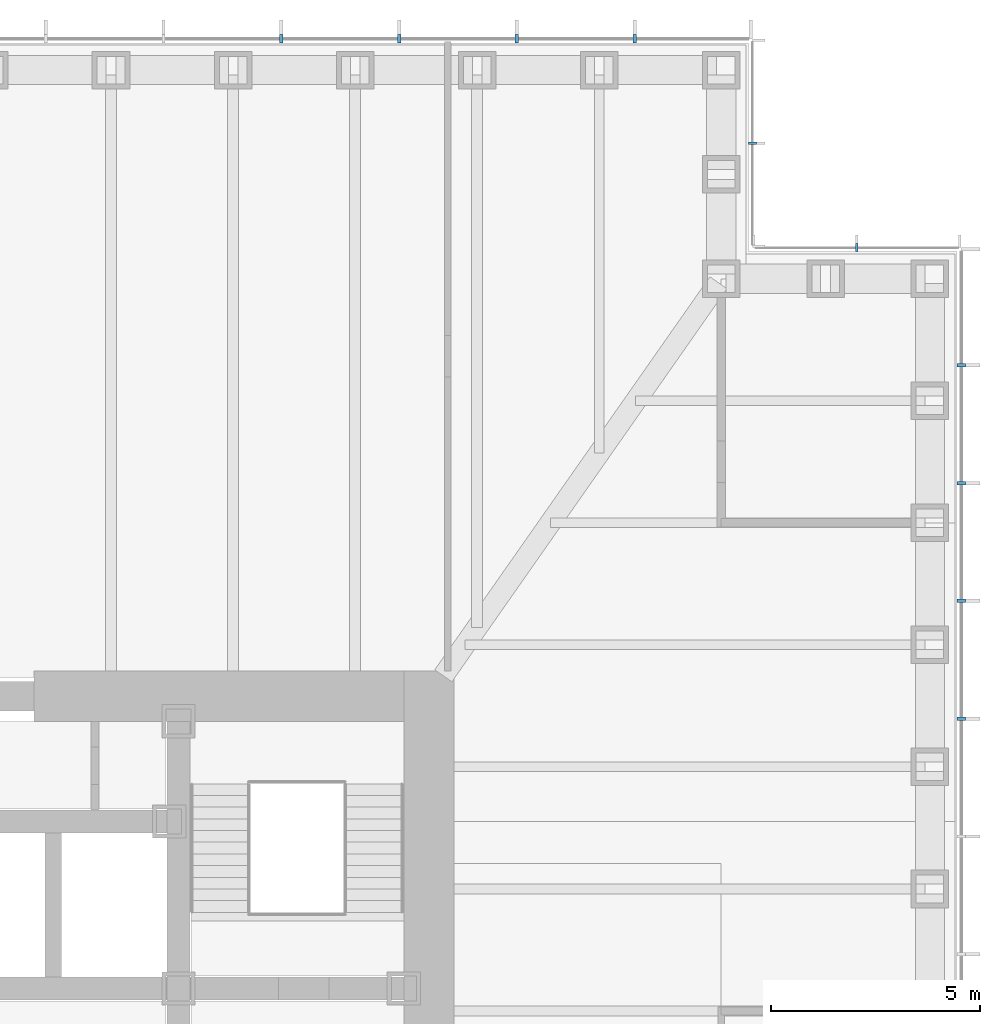
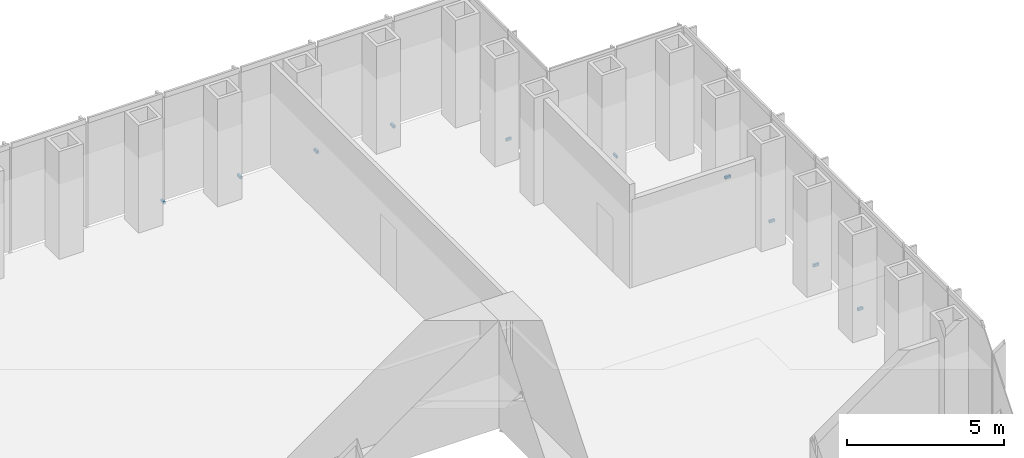
# One storey, part 15 of 16: 10 discrete accessories.
"""IFC4 building model written with IfcOpenShell, lengths in metres."""

import ifcopenshell
import ifcopenshell.guid

model = None  # the IFC model being written
_history = None  # IfcOwnerHistory: only IFC2X3 demands one
_inside = {}  # id of a spatial element -> (the spatial element, [elements in it])
_under = {}  # id of a project, library or spatial element -> (it, [spatial elements below it])
_declared = {}  # id of a project -> (the project, [libraries it declares])
_typed = {}  # id of a type object -> (the type object, [elements of that type])
_made_of = {}  # id of a material, layer set ... -> (it, [elements and type objects made of it])


def new_model(schema):
    """Start an empty IFC model of exactly this schema.

    Asked for "IFC4X3", IfcOpenShell would pick the latest addendum, in which some entities
    have other attributes; the version numbers below select the first issue.
    IFC2X3 requires an IfcOwnerHistory on every rooted entity: one is made here for all.
    """
    global model, _history
    if schema == "IFC4X3":
        model = ifcopenshell.file(schema_version=(4, 3, 0, 0))
    else:
        model = ifcopenshell.file(schema=schema)
    _inside.clear()
    _under.clear()
    _declared.clear()
    _typed.clear()
    _made_of.clear()
    _history = None
    if model.schema == "IFC2X3":
        org = make("IfcOrganization", Name="unknown")
        user = make(
            "IfcPersonAndOrganization",
            ThePerson=make("IfcPerson", FamilyName="unknown"),
            TheOrganization=org,
        )
        app = make(
            "IfcApplication",
            ApplicationDeveloper=org,
            Version="unknown",
            ApplicationFullName="unknown",
            ApplicationIdentifier="unknown",
        )
        _history = make(
            "IfcOwnerHistory",
            OwningUser=user,
            OwningApplication=app,
            ChangeAction="ADDED",
            CreationDate=0,
        )
    return model


def make(cls, **values):
    """One entity of the class cls with the attributes given. An attribute that is None is left unset."""
    return model.create_entity(
        cls, **{name: value for name, value in values.items() if value is not None}
    )


def rooted(cls, **values):
    """An entity with a GlobalId (a new one), such as an element, a storey or a relation."""
    return make(cls, GlobalId=ifcopenshell.guid.new(), OwnerHistory=_history, **values)


def si_unit(unit_type, name, prefix=None):
    """IfcSIUnit, for example si_unit("LENGTHUNIT", "METRE", prefix="MILLI")."""
    return make("IfcSIUnit", UnitType=unit_type, Prefix=prefix, Name=name)


def assignment(units):
    """IfcUnitAssignment: the units of a project."""
    return None if units is None else make("IfcUnitAssignment", Units=units)


def point(xyz):
    """IfcCartesianPoint."""
    return None if xyz is None else make("IfcCartesianPoint", Coordinates=xyz)


def direction(xyz):
    """IfcDirection."""
    return None if xyz is None else make("IfcDirection", DirectionRatios=xyz)


def frame(location, z_axis=None, x_axis=None):
    """IfcAxis2Placement3D, a coordinate frame: its origin and axes. An axis left out is left unset."""
    return make(
        "IfcAxis2Placement3D",
        Location=point(location),
        Axis=direction(z_axis),
        RefDirection=direction(x_axis),
    )


def frame_2d(location, x_axis=None):
    """IfcAxis2Placement2D, a coordinate frame in the plane: its origin and x axis."""
    return make(
        "IfcAxis2Placement2D", Location=point(location), RefDirection=direction(x_axis)
    )


def origin():
    """The frame at (0, 0, 0) with its axes left unset."""
    return frame((0.0, 0.0, 0.0))


def origin_2d():
    """The frame at (0, 0) in the plane with its x axis left unset."""
    return frame_2d((0.0, 0.0))


def place(relative_to, where):
    """IfcLocalPlacement: puts the frame where relative to a parent placement (None: the world)."""
    return make(
        "IfcLocalPlacement", PlacementRelTo=relative_to, RelativePlacement=where
    )


def context(
    kind, dimensions, precision=None, world=None, true_north=None, identifier=None
):
    """IfcGeometricRepresentationContext, for example the 3D "Model" context."""
    return make(
        "IfcGeometricRepresentationContext",
        ContextIdentifier=identifier,
        ContextType=kind,
        CoordinateSpaceDimension=dimensions,
        Precision=precision,
        WorldCoordinateSystem=world,
        TrueNorth=true_north,
    )


def subcontext(parent, identifier, kind, view, scale=None):
    """IfcGeometricRepresentationSubContext, for example "Body" below "Model"."""
    return make(
        "IfcGeometricRepresentationSubContext",
        ContextIdentifier=identifier,
        ContextType=kind,
        ParentContext=parent,
        TargetScale=scale,
        TargetView=view,
    )


def project(units=None, contexts=None):
    """IfcProject with its units and contexts."""
    return rooted(
        "IfcProject",
        Name="project",
        RepresentationContexts=contexts,
        UnitsInContext=assignment(units),
    )


def spatial(cls, under=None, at=None, **own):
    """A site, building, storey or space (cls), placed at a placement, below another one or the project."""
    s = rooted(cls, ObjectPlacement=at, **own)
    if under is not None:
        _under.setdefault(under.id(), (under, []))[1].append(s)
    return s


def profile(cls, at=None, kind="AREA", **sizes):
    """A parametric profile (cls). Its sizes go by their IFC names, for example OverallWidth=200.0."""
    return make(cls, ProfileType=kind, Position=at, **sizes)


def rectangle(**sizes):
    """IfcRectangleProfileDef."""
    return profile("IfcRectangleProfileDef", **sizes)


def extrude(swept, where, along, depth):
    """IfcExtrudedAreaSolid: the profile swept, set in the frame where, extruded along a direction by depth."""
    return make(
        "IfcExtrudedAreaSolid",
        SweptArea=swept,
        Position=where,
        ExtrudedDirection=direction(along),
        Depth=depth,
    )


def shape(context_of_items, identifier, shape_type, items):
    """IfcShapeRepresentation: the items that make up one representation, for example the "Body"."""
    return make(
        "IfcShapeRepresentation",
        ContextOfItems=context_of_items,
        RepresentationIdentifier=identifier,
        RepresentationType=shape_type,
        Items=items,
    )


def made_of(thing, what):
    """Note that an element or type object is made of a material, layer set ...; save() writes the relation."""
    if what is not None:
        _made_of.setdefault(what.id(), (what, []))[1].append(thing)
    return thing


def element(
    cls,
    number,
    at=None,
    inside=None,
    cuts=None,
    type_object=None,
    material=None,
    context=None,
    identifier="Body",
    shape_type=None,
    held_by="IfcProductDefinitionShape",
    body=None,
    shapes=None,
    **own,
):
    """One element of the class cls, such as IfcWall. Its Tag is "e" and its number.

    at: its placement. inside: the storey or other place that contains it. cuts: it is an
    opening in that element (IfcRelVoidsElement). A single representation is given by context,
    identifier, shape_type and body (its items); several are given by shapes. held_by: the class
    of the entity that holds the representations. save() writes the other relations.
    """
    e = rooted(cls, Tag="e%d" % number, ObjectPlacement=at, **own)
    if body is not None:
        shapes = [shape(context, identifier, shape_type, body)]
    if shapes is not None:
        e.Representation = make(held_by, Representations=shapes)
    if inside is not None:
        _inside.setdefault(inside.id(), (inside, []))[1].append(e)
    if cuts is not None:
        rooted(
            "IfcRelVoidsElement", RelatingBuildingElement=cuts, RelatedOpeningElement=e
        )
    if type_object is not None:
        _typed.setdefault(type_object.id(), (type_object, []))[1].append(e)
    return made_of(e, material)


def aggregate(whole, parts):
    """IfcRelAggregates: a whole, such as a stair, and the parts it consists of."""
    return rooted("IfcRelAggregates", RelatingObject=whole, RelatedObjects=parts)


def save(model, path):
    """Write the relations noted so far, then the file.

    IfcRelAggregates (storeys below a building ...), IfcRelContainedInSpatialStructure (elements
    in a storey), IfcRelDefinesByType, IfcRelAssociatesMaterial and IfcRelDeclares: one each for
    every whole, place, type object, material and project.
    """
    for whole, parts in _under.values():
        aggregate(whole, parts)
    for where, things in _inside.values():
        rooted(
            "IfcRelContainedInSpatialStructure",
            RelatedElements=things,
            RelatingStructure=where,
        )
    for kind, things in _typed.values():
        rooted("IfcRelDefinesByType", RelatedObjects=things, RelatingType=kind)
    for what, things in _made_of.values():
        rooted("IfcRelAssociatesMaterial", RelatedObjects=things, RelatingMaterial=what)
    for by, libraries in _declared.values():
        rooted("IfcRelDeclares", RelatingContext=by, RelatedDefinitions=libraries)
    model.write(path)


model = new_model("IFC4")

# Units and contexts
model_context = context("Model", 3, precision=1e-05, world=origin(), true_north=direction((0.0, 1.0)))
body_context = subcontext(model_context, "Body", "Model", "MODEL_VIEW")
ifc_project = project(units=[si_unit("LENGTHUNIT", "METRE"), si_unit("AREAUNIT", "SQUARE_METRE"), si_unit("VOLUMEUNIT", "CUBIC_METRE"), si_unit("PLANEANGLEUNIT", "RADIAN"), si_unit("MASSUNIT", "GRAM", prefix="KILO")], contexts=[model_context])

# Site, building, storey
site_placement = place(None, origin())
site = spatial("IfcSite", under=ifc_project, at=site_placement, CompositionType="ELEMENT")
building_placement = place(site_placement, origin())
building = spatial("IfcBuilding", under=site, at=building_placement, Name="Daluyong Arena Tower", CompositionType="ELEMENT")
storey_placement = place(building_placement, frame((0.0, 0.0, 76.89990234375)))
storey = spatial("IfcBuildingStorey", under=building, at=storey_placement, Name="L16", CompositionType="ELEMENT", Elevation=76.89990234375)

# Discrete accessories
for number, where, z_axis, x_axis, name in (
    (1, (80.75, 88.46435546875, -0.099853515625), (0.0, 0.0, 1.0), (0.0, 1.0, 0.0), "curtain wall L16 E anchor bracket 11"),
    (2, (80.75, 91.28564453125, -0.099853515625), (0.0, 0.0, 1.0), (0.0, 1.0, 0.0), "curtain wall L16 E anchor bracket 12"),
    (3, (80.75, 94.107177734375, -0.099853515625), (0.0, 0.0, 1.0), (0.0, 1.0, 0.0), "curtain wall L16 E anchor bracket 13"),
    (4, (80.75, 96.928466796875, -0.099853515625), (0.0, 0.0, 1.0), (0.0, 1.0, 0.0), "curtain wall L16 E anchor bracket 14"),
):
    element("IfcDiscreteAccessory", number, at=place(storey_placement, frame(where, z_axis=z_axis, x_axis=x_axis)), inside=storey, Name=name, PredefinedType="BRACKET", context=body_context, shape_type="SweptSolid", body=[
        extrude(rectangle(XDim=0.080078125, YDim=0.199951171875, at=origin_2d()), origin(), (0.0, 0.0, 1.0), 0.10009765625),
    ])
for number, where, z_axis, x_axis, name in (
    (5, (78.25, 99.75, -0.099853515625), (0.0, 0.0, 1.0), (-1.0, 0.0, 0.0), "curtain wall L16 NE-N anchor bracket 2"),
    (6, (75.75, 102.25, -0.099853515625), (0.0, 0.0, 1.0), (0.0, 1.0, 0.0), "curtain wall L16 NE-E anchor bracket 2"),
):
    element("IfcDiscreteAccessory", number, at=place(storey_placement, frame(where, z_axis=z_axis, x_axis=x_axis)), inside=storey, Name=name, PredefinedType="BRACKET", context=body_context, shape_type="SweptSolid", body=[
        extrude(rectangle(XDim=0.06005859375, YDim=0.199951171875, at=origin_2d()), origin(), (0.0, 0.0, 1.0), 0.10009765625),
    ])
for number, where, z_axis, x_axis, name in (
    (7, (72.928466796875, 104.75, -0.099853515625), (0.0, 0.0, 1.0), (-1.0, 0.0, 0.0), "curtain wall L16 N anchor bracket 2"),
    (8, (70.107177734375, 104.75, -0.099853515625), (0.0, 0.0, 1.0), (-1.0, 0.0, 0.0), "curtain wall L16 N anchor bracket 3"),
    (9, (67.28564453125, 104.75, -0.099853515625), (0.0, 0.0, 1.0), (-1.0, 0.0, 0.0), "curtain wall L16 N anchor bracket 4"),
    (10, (64.46435546875, 104.75, -0.099853515625), (0.0, 0.0, 1.0), (-1.0, 0.0, 0.0), "curtain wall L16 N anchor bracket 5"),
):
    element("IfcDiscreteAccessory", number, at=place(storey_placement, frame(where, z_axis=z_axis, x_axis=x_axis)), inside=storey, Name=name, PredefinedType="BRACKET", context=body_context, shape_type="SweptSolid", body=[
        extrude(rectangle(XDim=0.080078125, YDim=0.199951171875, at=origin_2d()), origin(), (0.0, 0.0, 1.0), 0.10009765625),
    ])

save(model, "model.ifc")
